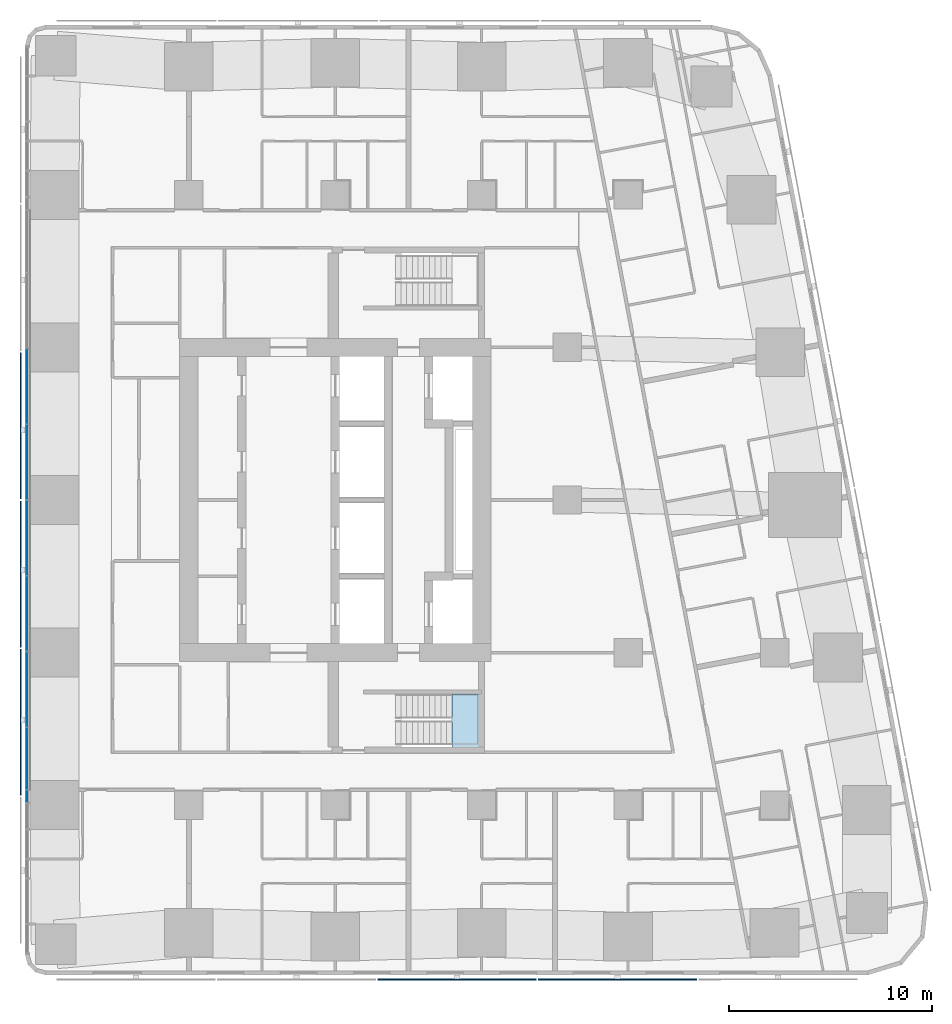
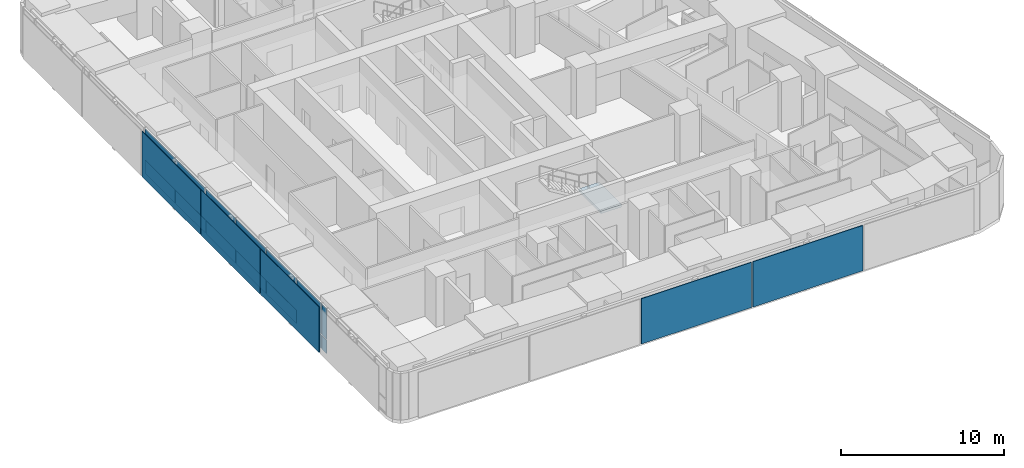
# One storey, part 7 of 19: 19 plates, 1 slab, 2 elements without a shape of their own.
"""IFC4 building model written with IfcOpenShell, lengths in metres."""

import ifcopenshell
import ifcopenshell.guid

model = None  # the IFC model being written
_history = None  # IfcOwnerHistory: only IFC2X3 demands one
_inside = {}  # id of a spatial element -> (the spatial element, [elements in it])
_under = {}  # id of a project, library or spatial element -> (it, [spatial elements below it])
_declared = {}  # id of a project -> (the project, [libraries it declares])
_typed = {}  # id of a type object -> (the type object, [elements of that type])
_made_of = {}  # id of a material, layer set ... -> (it, [elements and type objects made of it])


def new_model(schema):
    """Start an empty IFC model of exactly this schema.

    Asked for "IFC4X3", IfcOpenShell would pick the latest addendum, in which some entities
    have other attributes; the version numbers below select the first issue.
    IFC2X3 requires an IfcOwnerHistory on every rooted entity: one is made here for all.
    """
    global model, _history
    if schema == "IFC4X3":
        model = ifcopenshell.file(schema_version=(4, 3, 0, 0))
    else:
        model = ifcopenshell.file(schema=schema)
    _inside.clear()
    _under.clear()
    _declared.clear()
    _typed.clear()
    _made_of.clear()
    _history = None
    if model.schema == "IFC2X3":
        org = make("IfcOrganization", Name="unknown")
        user = make(
            "IfcPersonAndOrganization",
            ThePerson=make("IfcPerson", FamilyName="unknown"),
            TheOrganization=org,
        )
        app = make(
            "IfcApplication",
            ApplicationDeveloper=org,
            Version="unknown",
            ApplicationFullName="unknown",
            ApplicationIdentifier="unknown",
        )
        _history = make(
            "IfcOwnerHistory",
            OwningUser=user,
            OwningApplication=app,
            ChangeAction="ADDED",
            CreationDate=0,
        )
    return model


def make(cls, **values):
    """One entity of the class cls with the attributes given. An attribute that is None is left unset."""
    return model.create_entity(
        cls, **{name: value for name, value in values.items() if value is not None}
    )


def rooted(cls, **values):
    """An entity with a GlobalId (a new one), such as an element, a storey or a relation."""
    return make(cls, GlobalId=ifcopenshell.guid.new(), OwnerHistory=_history, **values)


def si_unit(unit_type, name, prefix=None):
    """IfcSIUnit, for example si_unit("LENGTHUNIT", "METRE", prefix="MILLI")."""
    return make("IfcSIUnit", UnitType=unit_type, Prefix=prefix, Name=name)


def assignment(units):
    """IfcUnitAssignment: the units of a project."""
    return None if units is None else make("IfcUnitAssignment", Units=units)


def point(xyz):
    """IfcCartesianPoint."""
    return None if xyz is None else make("IfcCartesianPoint", Coordinates=xyz)


def direction(xyz):
    """IfcDirection."""
    return None if xyz is None else make("IfcDirection", DirectionRatios=xyz)


def frame(location, z_axis=None, x_axis=None):
    """IfcAxis2Placement3D, a coordinate frame: its origin and axes. An axis left out is left unset."""
    return make(
        "IfcAxis2Placement3D",
        Location=point(location),
        Axis=direction(z_axis),
        RefDirection=direction(x_axis),
    )


def frame_2d(location, x_axis=None):
    """IfcAxis2Placement2D, a coordinate frame in the plane: its origin and x axis."""
    return make(
        "IfcAxis2Placement2D", Location=point(location), RefDirection=direction(x_axis)
    )


def origin():
    """The frame at (0, 0, 0) with its axes left unset."""
    return frame((0.0, 0.0, 0.0))


def origin_2d():
    """The frame at (0, 0) in the plane with its x axis left unset."""
    return frame_2d((0.0, 0.0))


def place(relative_to, where):
    """IfcLocalPlacement: puts the frame where relative to a parent placement (None: the world)."""
    return make(
        "IfcLocalPlacement", PlacementRelTo=relative_to, RelativePlacement=where
    )


def context(
    kind, dimensions, precision=None, world=None, true_north=None, identifier=None
):
    """IfcGeometricRepresentationContext, for example the 3D "Model" context."""
    return make(
        "IfcGeometricRepresentationContext",
        ContextIdentifier=identifier,
        ContextType=kind,
        CoordinateSpaceDimension=dimensions,
        Precision=precision,
        WorldCoordinateSystem=world,
        TrueNorth=true_north,
    )


def subcontext(parent, identifier, kind, view, scale=None):
    """IfcGeometricRepresentationSubContext, for example "Body" below "Model"."""
    return make(
        "IfcGeometricRepresentationSubContext",
        ContextIdentifier=identifier,
        ContextType=kind,
        ParentContext=parent,
        TargetScale=scale,
        TargetView=view,
    )


def project(units=None, contexts=None):
    """IfcProject with its units and contexts."""
    return rooted(
        "IfcProject",
        Name="project",
        RepresentationContexts=contexts,
        UnitsInContext=assignment(units),
    )


def spatial(cls, under=None, at=None, **own):
    """A site, building, storey or space (cls), placed at a placement, below another one or the project."""
    s = rooted(cls, ObjectPlacement=at, **own)
    if under is not None:
        _under.setdefault(under.id(), (under, []))[1].append(s)
    return s


def polyline(points):
    """IfcPolyline through the points."""
    return make("IfcPolyline", Points=[point(p) for p in points])


def profile(cls, at=None, kind="AREA", **sizes):
    """A parametric profile (cls). Its sizes go by their IFC names, for example OverallWidth=200.0."""
    return make(cls, ProfileType=kind, Position=at, **sizes)


def rectangle(**sizes):
    """IfcRectangleProfileDef."""
    return profile("IfcRectangleProfileDef", **sizes)


def outline(outer, holes=None, kind="AREA"):
    """IfcArbitraryClosedProfileDef: a profile drawn as a closed curve; with holes, ...WithVoids."""
    if holes is None:
        return make("IfcArbitraryClosedProfileDef", ProfileType=kind, OuterCurve=outer)
    return make(
        "IfcArbitraryProfileDefWithVoids",
        ProfileType=kind,
        OuterCurve=outer,
        InnerCurves=holes,
    )


def extrude(swept, where, along, depth):
    """IfcExtrudedAreaSolid: the profile swept, set in the frame where, extruded along a direction by depth."""
    return make(
        "IfcExtrudedAreaSolid",
        SweptArea=swept,
        Position=where,
        ExtrudedDirection=direction(along),
        Depth=depth,
    )


def shape(context_of_items, identifier, shape_type, items):
    """IfcShapeRepresentation: the items that make up one representation, for example the "Body"."""
    return make(
        "IfcShapeRepresentation",
        ContextOfItems=context_of_items,
        RepresentationIdentifier=identifier,
        RepresentationType=shape_type,
        Items=items,
    )


def material(Name=None, Category=None):
    """IfcMaterial."""
    return make("IfcMaterial", Name=Name, Category=Category)


def layer(
    of_material, thickness, ventilated=None, Name=None, Category=None, Priority=None
):
    """IfcMaterialLayer: one layer of a wall or slab, of a material (None: an air gap)."""
    return make(
        "IfcMaterialLayer",
        Material=of_material,
        LayerThickness=thickness,
        IsVentilated=ventilated,
        Name=Name,
        Category=Category,
        Priority=Priority,
    )


def layer_set(layers, Name=None):
    """IfcMaterialLayerSet."""
    return make("IfcMaterialLayerSet", MaterialLayers=layers, LayerSetName=Name)


def made_of(thing, what):
    """Note that an element or type object is made of a material, layer set ...; save() writes the relation."""
    if what is not None:
        _made_of.setdefault(what.id(), (what, []))[1].append(thing)
    return thing


def type_object(cls, material=None, **own):
    """A type object (cls), such as IfcWallType, which elements share."""
    return made_of(rooted(cls, **own), material)


def element(
    cls,
    number,
    at=None,
    inside=None,
    cuts=None,
    type_object=None,
    material=None,
    context=None,
    identifier="Body",
    shape_type=None,
    held_by="IfcProductDefinitionShape",
    body=None,
    shapes=None,
    **own,
):
    """One element of the class cls, such as IfcWall. Its Tag is "e" and its number.

    at: its placement. inside: the storey or other place that contains it. cuts: it is an
    opening in that element (IfcRelVoidsElement). A single representation is given by context,
    identifier, shape_type and body (its items); several are given by shapes. held_by: the class
    of the entity that holds the representations. save() writes the other relations.
    """
    e = rooted(cls, Tag="e%d" % number, ObjectPlacement=at, **own)
    if body is not None:
        shapes = [shape(context, identifier, shape_type, body)]
    if shapes is not None:
        e.Representation = make(held_by, Representations=shapes)
    if inside is not None:
        _inside.setdefault(inside.id(), (inside, []))[1].append(e)
    if cuts is not None:
        rooted(
            "IfcRelVoidsElement", RelatingBuildingElement=cuts, RelatedOpeningElement=e
        )
    if type_object is not None:
        _typed.setdefault(type_object.id(), (type_object, []))[1].append(e)
    return made_of(e, material)


def aggregate(whole, parts):
    """IfcRelAggregates: a whole, such as a stair, and the parts it consists of."""
    return rooted("IfcRelAggregates", RelatingObject=whole, RelatedObjects=parts)


def save(model, path):
    """Write the relations noted so far, then the file.

    IfcRelAggregates (storeys below a building ...), IfcRelContainedInSpatialStructure (elements
    in a storey), IfcRelDefinesByType, IfcRelAssociatesMaterial and IfcRelDeclares: one each for
    every whole, place, type object, material and project.
    """
    for whole, parts in _under.values():
        aggregate(whole, parts)
    for where, things in _inside.values():
        rooted(
            "IfcRelContainedInSpatialStructure",
            RelatedElements=things,
            RelatingStructure=where,
        )
    for kind, things in _typed.values():
        rooted("IfcRelDefinesByType", RelatedObjects=things, RelatingType=kind)
    for what, things in _made_of.values():
        rooted("IfcRelAssociatesMaterial", RelatedObjects=things, RelatingMaterial=what)
    for by, libraries in _declared.values():
        rooted("IfcRelDeclares", RelatingContext=by, RelatedDefinitions=libraries)
    model.write(path)


model = new_model("IFC4")

# Units and contexts
model_context = context("Model", 3, precision=1e-05, world=origin(), true_north=direction((0.0, 1.0)))
body_context = subcontext(model_context, "Body", "Model", "MODEL_VIEW")
ifc_project = project(units=[si_unit("LENGTHUNIT", "METRE"), si_unit("AREAUNIT", "SQUARE_METRE"), si_unit("VOLUMEUNIT", "CUBIC_METRE"), si_unit("PLANEANGLEUNIT", "RADIAN"), si_unit("MASSUNIT", "GRAM", prefix="KILO")], contexts=[model_context])

# Site, building, storey
site_placement = place(None, origin())
site = spatial("IfcSite", under=ifc_project, at=site_placement, CompositionType="ELEMENT")
building_placement = place(site_placement, origin())
building = spatial("IfcBuilding", under=site, at=building_placement, Name="Sheger Commons Tower", CompositionType="ELEMENT")
storey_placement = place(building_placement, frame((0.0, 0.0, 216.199951171875)))
storey = spatial("IfcBuildingStorey", under=building, at=storey_placement, Name="L55", CompositionType="ELEMENT", Elevation=216.199951171875)

# Curtain wall, plates
ifc_material_1 = material(Name="Black aluminium curtain wall, dark tinted glazing", Category="aluminium")
curtain_wall_type = type_object("IfcCurtainWallType", Name="CURTAIN WALL CW4 GALLERY", PredefinedType="USERDEFINED", material=ifc_material_1)
curtain_wall_placement = place(storey_placement, origin())
curtain_wall = element("IfcCurtainWall", 1, at=curtain_wall_placement, inside=storey, type_object=curtain_wall_type, Name="Curtain Wall Cw4 Gallery W1 L55", ObjectType="UNITISED CURTAIN WALL", PredefinedType="USERDEFINED")
ifc_material_2 = material(Name="Dark tinted double glazing", Category="glass")
ifc_layer_1 = layer(ifc_material_2, 0.031982421875)
ifc_layer_set_1 = layer_set([ifc_layer_1], Name="GLAZED PANEL 32")
plate_type_1 = type_object("IfcPlateType", Name="GLAZED PANEL 32", PredefinedType="CURTAIN_PANEL", material=ifc_layer_set_1)
plate_1_placement = place(storey_placement, frame((6.449951171875, 28.08447265625, 0.065185546875), z_axis=(0.0, 0.0, 1.0), x_axis=(0.0, -1.0, 0.0)))
plate_1 = element("IfcPlate", 2, at=plate_1_placement, type_object=plate_type_1, Name="CW4 panel 9.1", PredefinedType="CURTAIN_PANEL", context=body_context, shape_type="SweptSolid", body=[
    extrude(rectangle(XDim=3.657958984375, YDim=0.031982421875, at=origin_2d()), origin(), (0.0, 0.0, 1.0), 1.00244140625),
])
plate_2_placement = place(storey_placement, frame((6.449951171875, 28.08447265625, 1.13232421875), z_axis=(0.0, 0.0, 1.0), x_axis=(0.0, -1.0, 0.0)))
plate_2 = element("IfcPlate", 3, at=plate_2_placement, type_object=plate_type_1, Name="CW4 panel 9.2", PredefinedType="CURTAIN_PANEL", context=body_context, shape_type="SweptSolid", body=[
    extrude(rectangle(XDim=3.657958984375, YDim=0.031982421875, at=origin_2d()), origin(), (0.0, 0.0, 1.0), 2.302490234375),
])
plate_3_placement = place(storey_placement, frame((6.449951171875, 24.361572265625, 0.065185546875), z_axis=(0.0, 0.0, 1.0), x_axis=(0.0, -1.0, 0.0)))
plate_3 = element("IfcPlate", 4, at=plate_3_placement, type_object=plate_type_1, Name="CW4 panel 10.1", PredefinedType="CURTAIN_PANEL", context=body_context, shape_type="SweptSolid", body=[
    extrude(rectangle(XDim=3.657958984375, YDim=0.031982421875, at=origin_2d()), origin(), (0.0, 0.0, 1.0), 1.00244140625),
])
plate_4_placement = place(storey_placement, frame((6.449951171875, 24.361572265625, 1.13232421875), z_axis=(0.0, 0.0, 1.0), x_axis=(0.0, -1.0, 0.0)))
plate_4 = element("IfcPlate", 5, at=plate_4_placement, type_object=plate_type_1, Name="CW4 panel 10.2", PredefinedType="CURTAIN_PANEL", context=body_context, shape_type="SweptSolid", body=[
    extrude(rectangle(XDim=3.657958984375, YDim=0.031982421875, at=origin_2d()), origin(), (0.0, 0.0, 1.0), 2.302490234375),
])
plate_5_placement = place(storey_placement, frame((6.449951171875, 20.638427734375, 0.065185546875), z_axis=(0.0, 0.0, 1.0), x_axis=(0.0, -1.0, 0.0)))
plate_5 = element("IfcPlate", 6, at=plate_5_placement, type_object=plate_type_1, Name="CW4 panel 11.1", PredefinedType="CURTAIN_PANEL", context=body_context, shape_type="SweptSolid", body=[
    extrude(rectangle(XDim=3.657958984375, YDim=0.031982421875, at=origin_2d()), origin(), (0.0, 0.0, 1.0), 1.00244140625),
])
plate_6_placement = place(storey_placement, frame((6.449951171875, 20.638427734375, 1.13232421875), z_axis=(0.0, 0.0, 1.0), x_axis=(0.0, -1.0, 0.0)))
plate_6 = element("IfcPlate", 7, at=plate_6_placement, type_object=plate_type_1, Name="CW4 panel 11.2", PredefinedType="CURTAIN_PANEL", context=body_context, shape_type="SweptSolid", body=[
    extrude(rectangle(XDim=3.657958984375, YDim=0.031982421875, at=origin_2d()), origin(), (0.0, 0.0, 1.0), 2.302490234375),
])
plate_7_placement = place(storey_placement, frame((6.449951171875, 16.91552734375, 0.065185546875), z_axis=(0.0, 0.0, 1.0), x_axis=(0.0, -1.0, 0.0)))
plate_7 = element("IfcPlate", 8, at=plate_7_placement, type_object=plate_type_1, Name="CW4 panel 12.1", PredefinedType="CURTAIN_PANEL", context=body_context, shape_type="SweptSolid", body=[
    extrude(rectangle(XDim=3.657958984375, YDim=0.031982421875, at=origin_2d()), origin(), (0.0, 0.0, 1.0), 1.00244140625),
])
plate_8_placement = place(storey_placement, frame((6.449951171875, 16.91552734375, 1.13232421875), z_axis=(0.0, 0.0, 1.0), x_axis=(0.0, -1.0, 0.0)))
plate_8 = element("IfcPlate", 9, at=plate_8_placement, type_object=plate_type_1, Name="CW4 panel 12.2", PredefinedType="CURTAIN_PANEL", context=body_context, shape_type="SweptSolid", body=[
    extrude(rectangle(XDim=3.657958984375, YDim=0.031982421875, at=origin_2d()), origin(), (0.0, 0.0, 1.0), 2.302490234375),
])
plate_9_placement = place(storey_placement, frame((6.449951171875, 13.1923828125, 0.065185546875), z_axis=(0.0, 0.0, 1.0), x_axis=(0.0, -1.0, 0.0)))
plate_9 = element("IfcPlate", 10, at=plate_9_placement, type_object=plate_type_1, Name="CW4 panel 13.1", PredefinedType="CURTAIN_PANEL", context=body_context, shape_type="SweptSolid", body=[
    extrude(rectangle(XDim=3.657958984375, YDim=0.031982421875, at=origin_2d()), origin(), (0.0, 0.0, 1.0), 1.00244140625),
])
plate_10_placement = place(storey_placement, frame((6.449951171875, 13.1923828125, 1.13232421875), z_axis=(0.0, 0.0, 1.0), x_axis=(0.0, -1.0, 0.0)))
plate_10 = element("IfcPlate", 11, at=plate_10_placement, type_object=plate_type_1, Name="CW4 panel 13.2", PredefinedType="CURTAIN_PANEL", context=body_context, shape_type="SweptSolid", body=[
    extrude(rectangle(XDim=3.657958984375, YDim=0.031982421875, at=origin_2d()), origin(), (0.0, 0.0, 1.0), 2.302490234375),
])
plate_11_placement = place(storey_placement, frame((6.449951171875, 9.79052734375, 0.065185546875), z_axis=(0.0, 0.0, 1.0), x_axis=(0.0, -1.0, 0.0)))
plate_11 = element("IfcPlate", 12, at=plate_11_placement, type_object=plate_type_1, Name="CW4 panel 14.1", PredefinedType="CURTAIN_PANEL", context=body_context, shape_type="SweptSolid", body=[
    extrude(rectangle(XDim=3.01611328125, YDim=0.031982421875, at=origin_2d()), origin(), (0.0, 0.0, 1.0), 1.00244140625),
])
plate_12_placement = place(storey_placement, frame((6.449951171875, 9.79052734375, 1.13232421875), z_axis=(0.0, 0.0, 1.0), x_axis=(0.0, -1.0, 0.0)))
plate_12 = element("IfcPlate", 13, at=plate_12_placement, type_object=plate_type_1, Name="CW4 panel 14.2", PredefinedType="CURTAIN_PANEL", context=body_context, shape_type="SweptSolid", body=[
    extrude(rectangle(XDim=3.01611328125, YDim=0.031982421875, at=origin_2d()), origin(), (0.0, 0.0, 1.0), 2.302490234375),
])
plate_13_placement = place(storey_placement, frame((6.449951171875, 7.929443359375, 0.065185546875), z_axis=(0.0, 0.0, 1.0), x_axis=(0.0, -1.0, 0.0)))
plate_13 = element("IfcPlate", 14, at=plate_13_placement, type_object=plate_type_1, Name="CW4 panel 15.1", PredefinedType="CURTAIN_PANEL", context=body_context, shape_type="SweptSolid", body=[
    extrude(rectangle(XDim=0.575927734375, YDim=0.031982421875, at=origin_2d()), origin(), (0.0, 0.0, 1.0), 1.00244140625),
])
plate_14_placement = place(storey_placement, frame((6.449951171875, 7.929443359375, 1.13232421875), z_axis=(0.0, 0.0, 1.0), x_axis=(0.0, -1.0, 0.0)))
plate_14 = element("IfcPlate", 15, at=plate_14_placement, type_object=plate_type_1, Name="CW4 panel 15.2", PredefinedType="CURTAIN_PANEL", context=body_context, shape_type="SweptSolid", body=[
    extrude(rectangle(XDim=0.575927734375, YDim=0.031982421875, at=origin_2d()), origin(), (0.0, 0.0, 1.0), 2.302490234375),
])
aggregate(curtain_wall, [plate_1, plate_2, plate_3, plate_4, plate_5, plate_6, plate_7, plate_8, plate_9, plate_10, plate_11, plate_12, plate_13, plate_14])

# Plates
ifc_material_3 = material(Name="Perforated black anodised aluminium screen", Category="aluminium")
ifc_layer_2 = layer(ifc_material_3, 0.050048828125)
ifc_layer_set_2 = layer_set([ifc_layer_2], Name="SOLAR SCREEN SCREEN-1")
plate_type_2 = type_object("IfcPlateType", Name="SOLAR SCREEN SCREEN-1", PredefinedType="USERDEFINED", material=ifc_layer_set_2)
for number, where, z_axis, x_axis, name in (
    (16, (27.577880859375, -1.074951171875, 0.050048828125), (0.0, 0.0, 1.0), (1.0, 0.0, 0.0), "Perforated solar screen panel"),
    (17, (35.468994140625, -1.074951171875, 0.050048828125), (0.0, 0.0, 1.0), (1.0, 0.0, 0.0), "Perforated solar screen panel"),
):
    element("IfcPlate", number, at=place(storey_placement, frame(where, z_axis=z_axis, x_axis=x_axis)), inside=storey, type_object=plate_type_2, Name=name, ObjectType="SCREEN", PredefinedType="USERDEFINED", context=body_context, shape_type="SweptSolid", body=[
        extrude(rectangle(XDim=7.791015625, YDim=0.050048828125, at=origin_2d()), origin(), (0.0, 0.0, 1.0), 3.39990234375),
    ])
for number, where, z_axis, x_axis, name in (
    (18, (6.125, 26.14208984375, 0.050048828125), (0.0, 0.0, 1.0), (0.0, -1.0, 0.0), "Perforated solar screen panel"),
    (19, (6.125, 18.85791015625, 0.050048828125), (0.0, 0.0, 1.0), (0.0, -1.0, 0.0), "Perforated solar screen panel"),
    (20, (6.125, 11.574951171875, 0.050048828125), (0.0, 0.0, 1.0), (0.0, -1.0, 0.0), "Perforated solar screen panel"),
):
    element("IfcPlate", number, at=place(storey_placement, frame(where, z_axis=z_axis, x_axis=x_axis)), inside=storey, type_object=plate_type_2, Name=name, ObjectType="SCREEN", PredefinedType="USERDEFINED", context=body_context, shape_type="SweptSolid", body=[
        extrude(rectangle(XDim=7.18310546875, YDim=0.050048828125, at=origin_2d()), origin(), (0.0, 0.0, 1.0), 3.39990234375),
    ])

# Stair, slab
ifc_material_4 = material(Name="Concrete C35/45", Category="concrete")
stair_type = type_object("IfcStairType", Name="HALF-TURN STAIR 1200 RISE 3750", PredefinedType="HALF_TURN_STAIR", material=ifc_material_4)
stair_placement = place(storey_placement, origin())
stair = element("IfcStair", 21, at=stair_placement, inside=storey, type_object=stair_type, Name="Stair S1 L55", PredefinedType="HALF_TURN_STAIR")
ifc_material_5 = material(Name="Concrete C35/45", Category="concrete")
ifc_layer_3 = layer(ifc_material_5, 0.199951171875)
ifc_layer_set_3 = layer_set([ifc_layer_3], Name="STAIR LANDING 200")
slab_type = type_object("IfcSlabType", Name="STAIR LANDING 200", PredefinedType="LANDING", material=ifc_layer_set_3)
slab_placement = place(storey_placement, frame((0.0, 0.0, 1.675048828125)))
slab = element("IfcSlab", 22, at=slab_placement, type_object=slab_type, Name="S1 landing 1", PredefinedType="LANDING", context=body_context, shape_type="SweptSolid", body=[
    extrude(outline(polyline([(27.35009765625, 10.199951171875), (28.800048828125, 10.199951171875), (28.800048828125, 12.949951171875), (27.35009765625, 12.949951171875), (27.35009765625, 10.199951171875)])), origin(), (0.0, 0.0, 1.0), 0.199951171875),
])
aggregate(stair, [slab])

save(model, "model.ifc")
